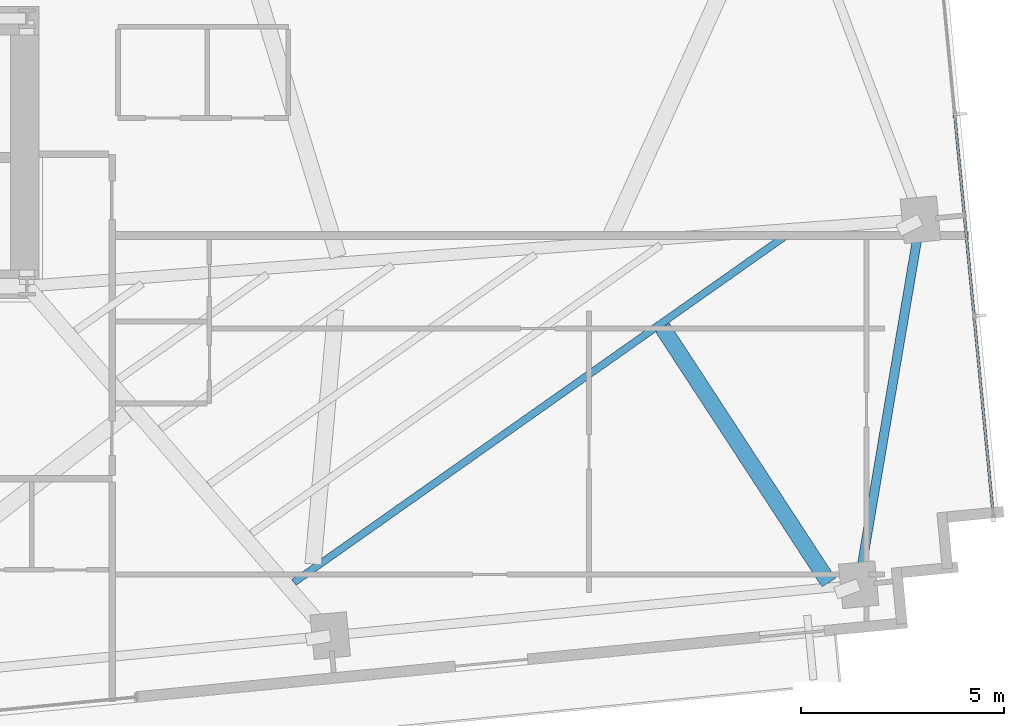
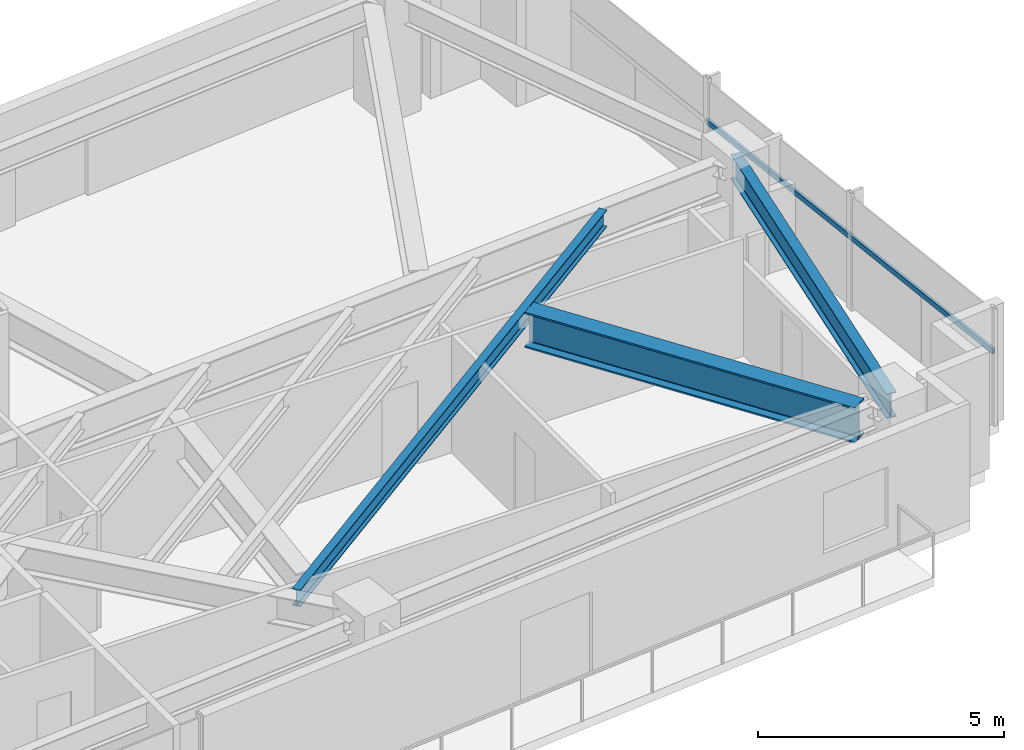
# One storey, part 15 of 27: 3 beams, 2 members, 1 element without a shape of its own.
"""IFC4 building model written with IfcOpenShell, lengths in metres."""

from ifc_helpers import new_model, si_unit, direction, frame, origin, origin_2d, place, context, subcontext, project, spatial, hollow_rectangle, i_section, extrude, source, transform, mapped, material, material_profile, profile_set, type_object, type_shapes, element, aggregate, save


model = new_model("IFC4")

# Units and contexts
model_context = context("Model", 3, precision=1e-05, world=origin(), true_north=direction((0.0, 1.0)))
body_context = subcontext(model_context, "Body", "Model", "MODEL_VIEW")
ifc_project = project(units=[si_unit("LENGTHUNIT", "METRE"), si_unit("AREAUNIT", "SQUARE_METRE"), si_unit("VOLUMEUNIT", "CUBIC_METRE"), si_unit("PLANEANGLEUNIT", "RADIAN"), si_unit("MASSUNIT", "GRAM", prefix="KILO")], contexts=[model_context])

# Site, building, storey
site_placement = place(None, origin())
site = spatial("IfcSite", under=ifc_project, at=site_placement, CompositionType="ELEMENT")
building_placement = place(site_placement, origin())
building = spatial("IfcBuilding", under=site, at=building_placement, Name="Astriad Promenade Condominiums", CompositionType="ELEMENT")
storey_placement = place(building_placement, frame((0.0, 0.0, 116.199951171875)))
storey = spatial("IfcBuildingStorey", under=building, at=storey_placement, Name="L33", CompositionType="ELEMENT", Elevation=116.199951171875)

# Beams
ifc_material_1 = material(Name="Steel ASTM A992 Grade 50", Category="steel")
ifc_material_profile_1 = material_profile(ifc_material_1, i_section(OverallWidth=0.22900390625, OverallDepth=0.612060546875, WebThickness=0.011962890625, FlangeThickness=0.01953125, FilletRadius=0.017822265625, at=origin_2d()), Name="W24X84")
ifc_profile_set_1 = profile_set([ifc_material_profile_1], Name="Steel ASTM A992 Grade 50")
beam_type_1 = type_object("IfcBeamType", Name="STEEL SPANDREL BEAM W24X84", PredefinedType="SPANDREL", material=ifc_profile_set_1)
shared_shape_1 = source(origin(), body_context, "Body", "SweptSolid", [
    extrude(i_section(OverallWidth=0.22900390625, OverallDepth=0.612060546875, WebThickness=0.011962890625, FlangeThickness=0.01953125, FilletRadius=0.017822265625, at=origin_2d()), origin(), (0.0, 0.0, 1.0), 9.055419921875),
])
type_shapes(beam_type_1, [shared_shape_1])
beam_1_placement = place(storey_placement, frame((66.13134765625, 10.0712890625, 2.593994140625), z_axis=(0.166776851291, 0.98599466625, 0.0), x_axis=(-0.98599466625, 0.166776851291, 0.0)))
element("IfcBeam", 1, at=beam_1_placement, inside=storey, type_object=beam_type_1, Name="Perimeter Spandrel Beam SP-E1-L33", PredefinedType="SPANDREL", context=body_context, shape_type="MappedRepresentation", body=[
    mapped(shared_shape_1, transform((0.0, 0.0, 0.0), scale=1.0)),
])
ifc_material_profile_2 = material_profile(ifc_material_1, i_section(OverallWidth=0.180908203125, OverallDepth=0.417236328125, WebThickness=0.010986328125, FlangeThickness=0.018310546875, FilletRadius=0.013916015625, at=origin_2d()), Name="W16X57")
ifc_profile_set_2 = profile_set([ifc_material_profile_2], Name="Steel ASTM A992 Grade 50")
beam_type_2 = type_object("IfcBeamType", Name="STEEL FLOOR JOIST W16X57", PredefinedType="JOIST", material=ifc_profile_set_2)
shared_shape_2 = source(origin(), body_context, "Body", "SweptSolid", [
    extrude(i_section(OverallWidth=0.180908203125, OverallDepth=0.417236328125, WebThickness=0.010986328125, FlangeThickness=0.018310546875, FilletRadius=0.013916015625, at=origin_2d()), origin(), (0.0, 0.0, 1.0), 14.838134765625),
])
type_shapes(beam_type_2, [shared_shape_2])
beam_2_placement = place(storey_placement, frame((52.192138671875, 10.093017578125, 2.69140625), z_axis=(0.817419044294, 0.576043493171, 0.0), x_axis=(-0.576043493171, 0.817419044294, 0.0)))
element("IfcBeam", 2, at=beam_2_placement, inside=storey, type_object=beam_type_2, Name="Secondary Composite Floor Joist JE1-1-L33", PredefinedType="JOIST", context=body_context, shape_type="MappedRepresentation", body=[
    mapped(shared_shape_2, transform((0.0, 0.0, 0.0), scale=1.0)),
])
ifc_material_profile_3 = material_profile(ifc_material_1, i_section(OverallWidth=0.4013671875, OverallDepth=0.877197265625, WebThickness=0.022216796875, FlangeThickness=0.039794921875, FilletRadius=0.02294921875, at=origin_2d()), Name="W33X263")
ifc_profile_set_3 = profile_set([ifc_material_profile_3], Name="Steel ASTM A992 Grade 50")
beam_type_3 = type_object("IfcBeamType", Name="STEEL TRANSFER CARRIER GIRDER W33X263", PredefinedType="BEAM", material=ifc_profile_set_3)
shared_shape_3 = source(origin(), body_context, "Body", "SweptSolid", [
    extrude(i_section(OverallWidth=0.4013671875, OverallDepth=0.877197265625, WebThickness=0.022216796875, FlangeThickness=0.039794921875, FilletRadius=0.02294921875, at=origin_2d()), origin(), (0.0, 0.0, 1.0), 7.51318359375),
])
type_shapes(beam_type_3, [shared_shape_3])
beam_3_placement = place(storey_placement, frame((61.282958984375, 16.376220703125, 2.46142578125), z_axis=(0.546695919166, -0.837331219988, 0.0), x_axis=(0.837331219988, 0.546695919166, 0.0)))
element("IfcBeam", 3, at=beam_3_placement, inside=storey, type_object=beam_type_3, Name="Transfer Splice Carrier TRM-SP-PC05-L33", PredefinedType="BEAM", context=body_context, shape_type="MappedRepresentation", body=[
    mapped(shared_shape_3, transform((0.0, 0.0, 0.0), scale=1.0)),
])

# Curtain wall, members
ifc_material_2 = material(Name="Anodised aluminium Black Dark Glass Unitised", Category="aluminium")
curtain_wall_type = type_object("IfcCurtainWallType", Name="CW-B2-DARK", PredefinedType="USERDEFINED", material=ifc_material_2)
curtain_wall_placement = place(storey_placement, origin())
curtain_wall = element("IfcCurtainWall", 4, at=curtain_wall_placement, inside=storey, type_object=curtain_wall_type, Name="CW-L33-E", ObjectType="UNITISED_CURTAIN_WALL", PredefinedType="USERDEFINED")
ifc_material_3 = material(Name="Anodised aluminium 6063-T6 Black", Category="aluminium")
ifc_material_profile_4 = material_profile(ifc_material_3, hollow_rectangle(XDim=0.06494140625, YDim=0.1298828125, WallThickness=0.00390625, at=origin_2d()), Name="ALU-TRN-65X130")
ifc_profile_set_4 = profile_set([ifc_material_profile_4], Name="Anodised aluminium 6063-T6 Black")
member_type = type_object("IfcMemberType", Name="TRN-ALU-TRN-65X130", PredefinedType="USERDEFINED", material=ifc_profile_set_4)
shared_shape_4 = source(origin(), body_context, "Body", "SweptSolid", [
    extrude(hollow_rectangle(XDim=0.06494140625, YDim=0.1298828125, WallThickness=0.00390625, at=origin_2d()), origin(), (0.0, 0.0, 1.0), 5.0),
])
member_1_placement = place(storey_placement, frame((68.972900390625, 16.6552734375, 1.798095703125), z_axis=(0.095848242264, -0.995395958629, 0.0), x_axis=(0.995395958629, 0.095848242264, 0.0)))
member_1 = element("IfcMember", 5, at=member_1_placement, type_object=member_type, Name="CW-L33-E-TRN-02-0", ObjectType="TRANSOM", PredefinedType="USERDEFINED", context=body_context, shape_type="MappedRepresentation", body=[
    mapped(shared_shape_4, transform((0.0, 0.0, 0.0), scale=1.0)),
])
shared_shape_5 = source(origin(), body_context, "Body", "SweptSolid", [
    extrude(hollow_rectangle(XDim=0.06494140625, YDim=0.1298828125, WallThickness=0.00390625, at=origin_2d()), origin(), (0.0, 0.0, 1.0), 4.999755859375),
])
type_shapes(member_type, [shared_shape_4, shared_shape_5])
member_2_placement = place(storey_placement, frame((68.493896484375, 21.632080078125, 1.798095703125), z_axis=(0.095804519461, -0.995400167797, 0.0), x_axis=(0.995400167797, 0.095804519461, 0.0)))
member_2 = element("IfcMember", 6, at=member_2_placement, type_object=member_type, Name="CW-L33-E-TRN-01-0", ObjectType="TRANSOM", PredefinedType="USERDEFINED", context=body_context, shape_type="MappedRepresentation", body=[
    mapped(shared_shape_5, transform((0.0, 0.0, 0.0), scale=1.0)),
])
aggregate(curtain_wall, [member_2, member_1])

save(model, "model.ifc")
